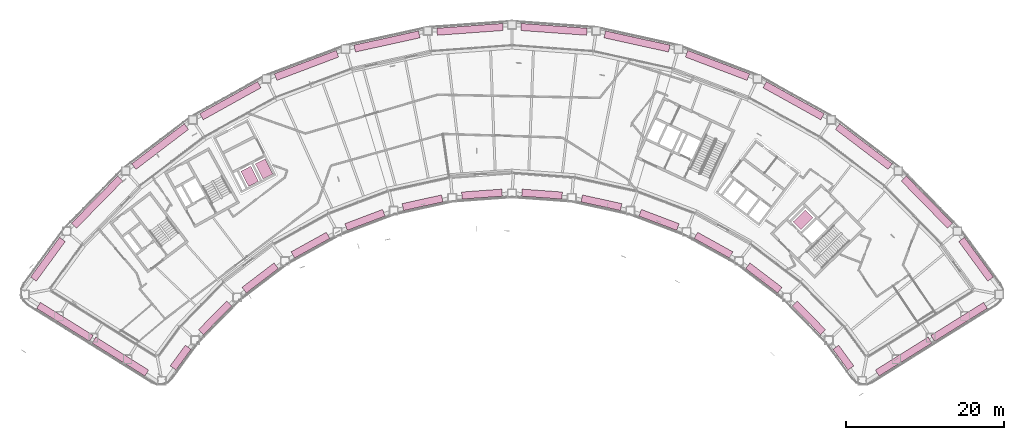
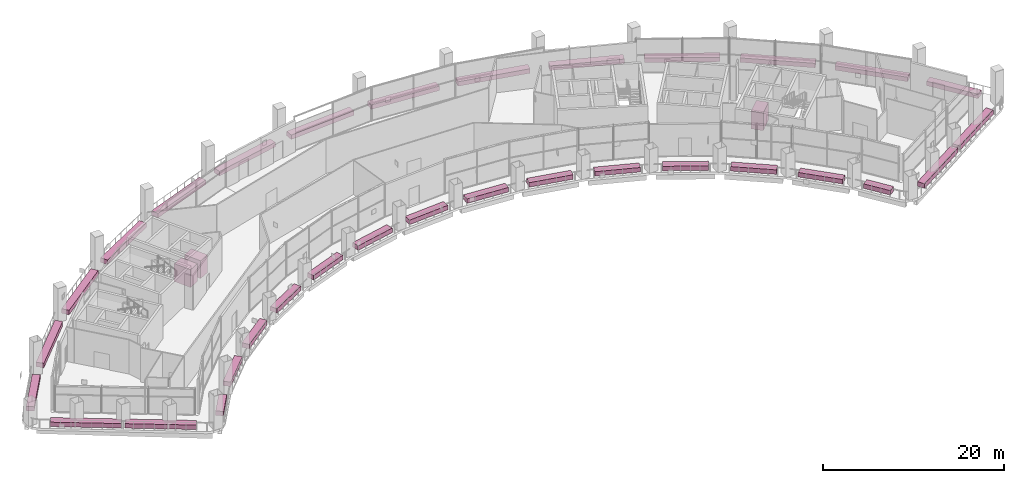
# One storey, part 28 of 28: 32 furnishings, 3 transport elements.
"""IFC4 building model written with IfcOpenShell, lengths in metres."""

from ifc_helpers import new_model, si_unit, direction, frame, origin, origin_2d, place, context, subcontext, project, spatial, rectangle, extrude, material, type_object, element, save


model = new_model("IFC4")

# Units and contexts
model_context = context("Model", 3, precision=1e-05, world=origin(), true_north=direction((0.0, 1.0)))
body_context = subcontext(model_context, "Body", "Model", "MODEL_VIEW")
ifc_project = project(units=[si_unit("LENGTHUNIT", "METRE"), si_unit("AREAUNIT", "SQUARE_METRE"), si_unit("VOLUMEUNIT", "CUBIC_METRE"), si_unit("PLANEANGLEUNIT", "RADIAN"), si_unit("MASSUNIT", "GRAM", prefix="KILO")], contexts=[model_context])

# Site, building, storey
site_placement = place(None, origin())
site = spatial("IfcSite", under=ifc_project, at=site_placement, CompositionType="ELEMENT")
building_placement = place(site_placement, origin())
building = spatial("IfcBuilding", under=site, at=building_placement, Name="Tuul Gate Civic Tower", CompositionType="ELEMENT")
storey_placement = place(building_placement, frame((0.0, 0.0, 128.699951171875)))
storey = spatial("IfcBuildingStorey", under=building, at=storey_placement, Name="Sky garden level 1", CompositionType="ELEMENT", Elevation=128.699951171875)

# Transport elements
ifc_material_1 = material(Name="Stainless steel", Category="steel")
transport_element_type = type_object("IfcTransportElementType", Name="Lift car", PredefinedType="ELEVATOR", material=ifc_material_1)
for number, where, z_axis, x_axis, name in (
    (1, (-21.541259765625, -4.561767578125, 0.0), (0.0, 0.0, 1.0), (-0.891000977582, -0.454001385404, 0.0), "Mid-rise lift M1"),
    (2, (-23.367919921875, -5.492431640625, 0.0), (0.0, 0.0, 1.0), (-0.891000977582, -0.454001385404, 0.0), "Mid-rise lift M2"),
    (3, (46.671875, -10.993408203125, 0.0), (0.0, 0.0, 1.0), (-0.700008674982, 0.714134339567, 0.0), "Mid-rise lift M3"),
):
    element("IfcTransportElement", number, at=place(storey_placement, frame(where, z_axis=z_axis, x_axis=x_axis)), inside=storey, type_object=transport_element_type, Name=name, PredefinedType="ELEVATOR", context=body_context, shape_type="SweptSolid", body=[
        extrude(rectangle(XDim=1.39990234375, YDim=2.14990234375, at=origin_2d()), origin(), (0.0, 0.0, 1.0), 2.39990234375),
    ])

# Furnishings
ifc_material_2 = material(Name="Planting soil")
furnishing_element_type = type_object("IfcFurnishingElementType", Name="Planter", material=ifc_material_2)
for number, where, z_axis, x_axis, name in (
    (4, (59.387451171875, -28.301025390625, 0.0), (0.0, 0.0, 1.0), (0.848028590009, 0.529950479316, 0.0), "Planter"),
    (5, (66.404541015625, -23.916015625, 0.0), (0.0, 0.0, 1.0), (0.848028590009, 0.529950479316, 0.0), "Planter"),
):
    element("IfcFurnishingElement", number, at=place(storey_placement, frame(where, z_axis=z_axis, x_axis=x_axis)), inside=storey, type_object=furnishing_element_type, Name=name, context=body_context, shape_type="SweptSolid", body=[
        extrude(rectangle(XDim=7.87451171875, YDim=0.89990234375, at=origin_2d()), origin(), (0.0, 0.0, 1.0), 0.60009765625),
    ])
furnishing_1_placement = place(storey_placement, frame((68.553955078125, -15.990234375, 0.0), z_axis=(0.0, 0.0, 1.0), x_axis=(-0.58971676251, 0.807610141105, 0.0)))
element("IfcFurnishingElement", 6, at=furnishing_1_placement, inside=storey, type_object=furnishing_element_type, Name="Planter", context=body_context, shape_type="SweptSolid", body=[
    extrude(rectangle(XDim=6.21435546875, YDim=0.89990234375, at=origin_2d()), origin(), (0.0, 0.0, 1.0), 0.60009765625),
])
furnishing_2_placement = place(storey_placement, frame((62.32080078125, -8.756591796875, 0.0), z_axis=(0.0, 0.0, 1.0), x_axis=(-0.70005840803, 0.71408558685, 0.0)))
element("IfcFurnishingElement", 7, at=furnishing_2_placement, inside=storey, type_object=furnishing_element_type, Name="Planter", context=body_context, shape_type="SweptSolid", body=[
    extrude(rectangle(XDim=8.36474609375, YDim=0.89990234375, at=origin_2d()), origin(), (0.0, 0.0, 1.0), 0.60009765625),
])
furnishing_3_placement = place(storey_placement, frame((54.357421875, -1.7294921875, 0.0), z_axis=(0.0, 0.0, 1.0), x_axis=(-0.79565346998, 0.605752057949, 0.0)))
element("IfcFurnishingElement", 8, at=furnishing_3_placement, inside=storey, type_object=furnishing_element_type, Name="Planter", context=body_context, shape_type="SweptSolid", body=[
    extrude(rectangle(XDim=8.363525390625, YDim=0.89990234375, at=origin_2d()), origin(), (0.0, 0.0, 1.0), 0.60009765625),
])
furnishing_4_placement = place(storey_placement, frame((45.464599609375, 4.076904296875, 0.0), z_axis=(0.0, 0.0, 1.0), x_axis=(-0.874612605796, 0.484822431188, 0.0)))
element("IfcFurnishingElement", 9, at=furnishing_4_placement, inside=storey, type_object=furnishing_element_type, Name="Planter", context=body_context, shape_type="SweptSolid", body=[
    extrude(rectangle(XDim=8.36474609375, YDim=0.89990234375, at=origin_2d()), origin(), (0.0, 0.0, 1.0), 0.60009765625),
])
for number, where, z_axis, x_axis, name in (
    (10, (35.827880859375, 8.541748046875, 0.0), (0.0, 0.0, 1.0), (-0.935332789185, 0.353769096271, 0.0), "Planter"),
    (11, (25.64892578125, 11.57080078125, 0.0), (0.0, 0.0, 1.0), (-0.976578918963, 0.215159510682, 0.0), "Planter"),
):
    element("IfcFurnishingElement", number, at=place(storey_placement, frame(where, z_axis=z_axis, x_axis=x_axis)), inside=storey, type_object=furnishing_element_type, Name=name, context=body_context, shape_type="SweptSolid", body=[
        extrude(rectangle(XDim=8.364013671875, YDim=0.89990234375, at=origin_2d()), origin(), (0.0, 0.0, 1.0), 0.60009765625),
    ])
for number, where, z_axis, x_axis, name in (
    (12, (15.13916015625, 13.10107421875, 0.0), (0.0, 0.0, 1.0), (-0.997384601869, 0.0722769393, 0.0), "Planter"),
    (13, (4.518798828125, 13.10107421875, 0.0), (0.0, 0.0, 1.0), (-0.997384601869, -0.0722769393, 0.0), "Planter"),
):
    element("IfcFurnishingElement", number, at=place(storey_placement, frame(where, z_axis=z_axis, x_axis=x_axis)), inside=storey, type_object=furnishing_element_type, Name=name, context=body_context, shape_type="SweptSolid", body=[
        extrude(rectangle(XDim=8.3642578125, YDim=0.89990234375, at=origin_2d()), origin(), (0.0, 0.0, 1.0), 0.60009765625),
    ])
furnishing_5_placement = place(storey_placement, frame((-5.990966796875, 11.57080078125, 0.0), z_axis=(0.0, 0.0, 1.0), x_axis=(-0.976578918963, -0.215159510682, 0.0)))
element("IfcFurnishingElement", 14, at=furnishing_5_placement, inside=storey, type_object=furnishing_element_type, Name="Planter", context=body_context, shape_type="SweptSolid", body=[
    extrude(rectangle(XDim=8.364013671875, YDim=0.89990234375, at=origin_2d()), origin(), (0.0, 0.0, 1.0), 0.60009765625),
])
furnishing_6_placement = place(storey_placement, frame((-16.17041015625, 8.541748046875, 0.0), z_axis=(0.0, 0.0, 1.0), x_axis=(-0.935344414536, -0.353738358389, 0.0)))
element("IfcFurnishingElement", 15, at=furnishing_6_placement, inside=storey, type_object=furnishing_element_type, Name="Planter", context=body_context, shape_type="SweptSolid", body=[
    extrude(rectangle(XDim=8.364990234375, YDim=0.89990234375, at=origin_2d()), origin(), (0.0, 0.0, 1.0), 0.60009765625),
])
furnishing_7_placement = place(storey_placement, frame((-25.80712890625, 4.076904296875, 0.0), z_axis=(0.0, 0.0, 1.0), x_axis=(-0.874590767753, -0.484861824607, 0.0)))
element("IfcFurnishingElement", 16, at=furnishing_7_placement, inside=storey, type_object=furnishing_element_type, Name="Planter", context=body_context, shape_type="SweptSolid", body=[
    extrude(rectangle(XDim=8.36376953125, YDim=0.89990234375, at=origin_2d()), origin(), (0.0, 0.0, 1.0), 0.60009765625),
])
furnishing_8_placement = place(storey_placement, frame((-34.699951171875, -1.7294921875, 0.0), z_axis=(0.0, 0.0, 1.0), x_axis=(-0.795687556994, -0.605707282146, 0.0)))
element("IfcFurnishingElement", 17, at=furnishing_8_placement, inside=storey, type_object=furnishing_element_type, Name="Planter", context=body_context, shape_type="SweptSolid", body=[
    extrude(rectangle(XDim=8.3642578125, YDim=0.89990234375, at=origin_2d()), origin(), (0.0, 0.0, 1.0), 0.60009765625),
])
furnishing_9_placement = place(storey_placement, frame((-42.6630859375, -8.756591796875, 0.0), z_axis=(0.0, 0.0, 1.0), x_axis=(-0.700011034438, -0.714132026775, 0.0)))
element("IfcFurnishingElement", 18, at=furnishing_9_placement, inside=storey, type_object=furnishing_element_type, Name="Planter", context=body_context, shape_type="SweptSolid", body=[
    extrude(rectangle(XDim=8.364013671875, YDim=0.89990234375, at=origin_2d()), origin(), (0.0, 0.0, 1.0), 0.60009765625),
])
furnishing_10_placement = place(storey_placement, frame((-48.896484375, -15.990234375, 0.0), z_axis=(0.0, 0.0, 1.0), x_axis=(-0.589792469982, -0.807554854083, 0.0)))
element("IfcFurnishingElement", 19, at=furnishing_10_placement, inside=storey, type_object=furnishing_element_type, Name="Planter", context=body_context, shape_type="SweptSolid", body=[
    extrude(rectangle(XDim=6.21484375, YDim=0.89990234375, at=origin_2d()), origin(), (0.0, 0.0, 1.0), 0.60009765625),
])
for number, where, z_axis, x_axis, name in (
    (20, (-46.74658203125, -23.916015625, 0.0), (0.0, 0.0, 1.0), (0.848028590009, -0.529950479316, 0.0), "Planter"),
    (21, (-39.7294921875, -28.301025390625, 0.0), (0.0, 0.0, 1.0), (0.848028590009, -0.529950479316, 0.0), "Planter"),
):
    element("IfcFurnishingElement", number, at=place(storey_placement, frame(where, z_axis=z_axis, x_axis=x_axis)), inside=storey, type_object=furnishing_element_type, Name=name, context=body_context, shape_type="SweptSolid", body=[
        extrude(rectangle(XDim=7.87451171875, YDim=0.89990234375, at=origin_2d()), origin(), (0.0, 0.0, 1.0), 0.60009765625),
    ])
furnishing_11_placement = place(storey_placement, frame((-32.103515625, -28.43408203125, 0.0), z_axis=(0.0, 0.0, 1.0), x_axis=(0.589803348113, 0.807546909198, 0.0)))
element("IfcFurnishingElement", 22, at=furnishing_11_placement, inside=storey, type_object=furnishing_element_type, Name="Planter", context=body_context, shape_type="SweptSolid", body=[
    extrude(rectangle(XDim=3.244140625, YDim=0.89990234375, at=origin_2d()), origin(), (0.0, 0.0, 1.0), 0.60009765625),
])
furnishing_12_placement = place(storey_placement, frame((-27.73779296875, -23.387451171875, 0.0), z_axis=(0.0, 0.0, 1.0), x_axis=(0.700008788854, 0.714134227949, 0.0)))
element("IfcFurnishingElement", 23, at=furnishing_12_placement, inside=storey, type_object=furnishing_element_type, Name="Planter", context=body_context, shape_type="SweptSolid", body=[
    extrude(rectangle(XDim=5.104248046875, YDim=0.89990234375, at=origin_2d()), origin(), (0.0, 0.0, 1.0), 0.60009765625),
])
furnishing_13_placement = place(storey_placement, frame((-22.0390625, -18.358154296875, 0.0), z_axis=(0.0, 0.0, 1.0), x_axis=(0.795581567855, 0.605846489541, 0.0)))
element("IfcFurnishingElement", 24, at=furnishing_13_placement, inside=storey, type_object=furnishing_element_type, Name="Planter", context=body_context, shape_type="SweptSolid", body=[
    extrude(rectangle(XDim=5.105224609375, YDim=0.89990234375, at=origin_2d()), origin(), (0.0, 0.0, 1.0), 0.60009765625),
])
furnishing_14_placement = place(storey_placement, frame((-15.6748046875, -14.202392578125, 0.0), z_axis=(0.0, 0.0, 1.0), x_axis=(0.874647086822, 0.484760222702, 0.0)))
element("IfcFurnishingElement", 25, at=furnishing_14_placement, inside=storey, type_object=furnishing_element_type, Name="Planter", context=body_context, shape_type="SweptSolid", body=[
    extrude(rectangle(XDim=5.104736328125, YDim=0.89990234375, at=origin_2d()), origin(), (0.0, 0.0, 1.0), 0.60009765625),
])
furnishing_15_placement = place(storey_placement, frame((-8.778076171875, -11.00732421875, 0.0), z_axis=(0.0, 0.0, 1.0), x_axis=(0.935339882985, 0.353750340351, 0.0)))
element("IfcFurnishingElement", 26, at=furnishing_15_placement, inside=storey, type_object=furnishing_element_type, Name="Planter", context=body_context, shape_type="SweptSolid", body=[
    extrude(rectangle(XDim=5.105224609375, YDim=0.89990234375, at=origin_2d()), origin(), (0.0, 0.0, 1.0), 0.60009765625),
])
furnishing_16_placement = place(storey_placement, frame((-1.49267578125, -8.83935546875, 0.0), z_axis=(0.0, 0.0, 1.0), x_axis=(0.976571151758, 0.21519476191, 0.0)))
element("IfcFurnishingElement", 27, at=furnishing_16_placement, inside=storey, type_object=furnishing_element_type, Name="Planter", context=body_context, shape_type="SweptSolid", body=[
    extrude(rectangle(XDim=5.104736328125, YDim=0.89990234375, at=origin_2d()), origin(), (0.0, 0.0, 1.0), 0.60009765625),
])
for number, where, z_axis, x_axis, name in (
    (28, (6.02880859375, -7.744140625, 0.0), (0.0, 0.0, 1.0), (0.997388553299, 0.072222390908, 0.0), "Planter"),
    (29, (13.62939453125, -7.744140625, 0.0), (0.0, 0.0, 1.0), (0.997388553299, -0.072222390908, 0.0), "Planter"),
):
    element("IfcFurnishingElement", number, at=place(storey_placement, frame(where, z_axis=z_axis, x_axis=x_axis)), inside=storey, type_object=furnishing_element_type, Name=name, context=body_context, shape_type="SweptSolid", body=[
        extrude(rectangle(XDim=5.1044921875, YDim=0.89990234375, at=origin_2d()), origin(), (0.0, 0.0, 1.0), 0.60009765625),
    ])
furnishing_17_placement = place(storey_placement, frame((21.150634765625, -8.83935546875, 0.0), z_axis=(0.0, 0.0, 1.0), x_axis=(0.976571151758, -0.21519476191, 0.0)))
element("IfcFurnishingElement", 30, at=furnishing_17_placement, inside=storey, type_object=furnishing_element_type, Name="Planter", context=body_context, shape_type="SweptSolid", body=[
    extrude(rectangle(XDim=5.104736328125, YDim=0.89990234375, at=origin_2d()), origin(), (0.0, 0.0, 1.0), 0.60009765625),
])
furnishing_18_placement = place(storey_placement, frame((28.43603515625, -11.00732421875, 0.0), z_axis=(0.0, 0.0, 1.0), x_axis=(0.935339882985, -0.353750340351, 0.0)))
element("IfcFurnishingElement", 31, at=furnishing_18_placement, inside=storey, type_object=furnishing_element_type, Name="Planter", context=body_context, shape_type="SweptSolid", body=[
    extrude(rectangle(XDim=5.105224609375, YDim=0.89990234375, at=origin_2d()), origin(), (0.0, 0.0, 1.0), 0.60009765625),
])
furnishing_19_placement = place(storey_placement, frame((35.332275390625, -14.202392578125, 0.0), z_axis=(0.0, 0.0, 1.0), x_axis=(0.874615768813, -0.484816725108, 0.0)))
element("IfcFurnishingElement", 32, at=furnishing_19_placement, inside=storey, type_object=furnishing_element_type, Name="Planter", context=body_context, shape_type="SweptSolid", body=[
    extrude(rectangle(XDim=5.103759765625, YDim=0.89990234375, at=origin_2d()), origin(), (0.0, 0.0, 1.0), 0.60009765625),
])
furnishing_20_placement = place(storey_placement, frame((41.6962890625, -18.358154296875, 0.0), z_axis=(0.0, 0.0, 1.0), x_axis=(0.795581567855, -0.605846489541, 0.0)))
element("IfcFurnishingElement", 33, at=furnishing_20_placement, inside=storey, type_object=furnishing_element_type, Name="Planter", context=body_context, shape_type="SweptSolid", body=[
    extrude(rectangle(XDim=5.105224609375, YDim=0.89990234375, at=origin_2d()), origin(), (0.0, 0.0, 1.0), 0.60009765625),
])
furnishing_21_placement = place(storey_placement, frame((47.395263671875, -23.387451171875, 0.0), z_axis=(0.0, 0.0, 1.0), x_axis=(0.700076739714, -0.714067614804, 0.0)))
element("IfcFurnishingElement", 34, at=furnishing_21_placement, inside=storey, type_object=furnishing_element_type, Name="Planter", context=body_context, shape_type="SweptSolid", body=[
    extrude(rectangle(XDim=5.10498046875, YDim=0.89990234375, at=origin_2d()), origin(), (0.0, 0.0, 1.0), 0.60009765625),
])
furnishing_22_placement = place(storey_placement, frame((51.761474609375, -28.43408203125, 0.0), z_axis=(0.0, 0.0, 1.0), x_axis=(0.589803348113, -0.807546909198, 0.0)))
element("IfcFurnishingElement", 35, at=furnishing_22_placement, inside=storey, type_object=furnishing_element_type, Name="Planter", context=body_context, shape_type="SweptSolid", body=[
    extrude(rectangle(XDim=3.244140625, YDim=0.89990234375, at=origin_2d()), origin(), (0.0, 0.0, 1.0), 0.60009765625),
])

save(model, "model.ifc")
